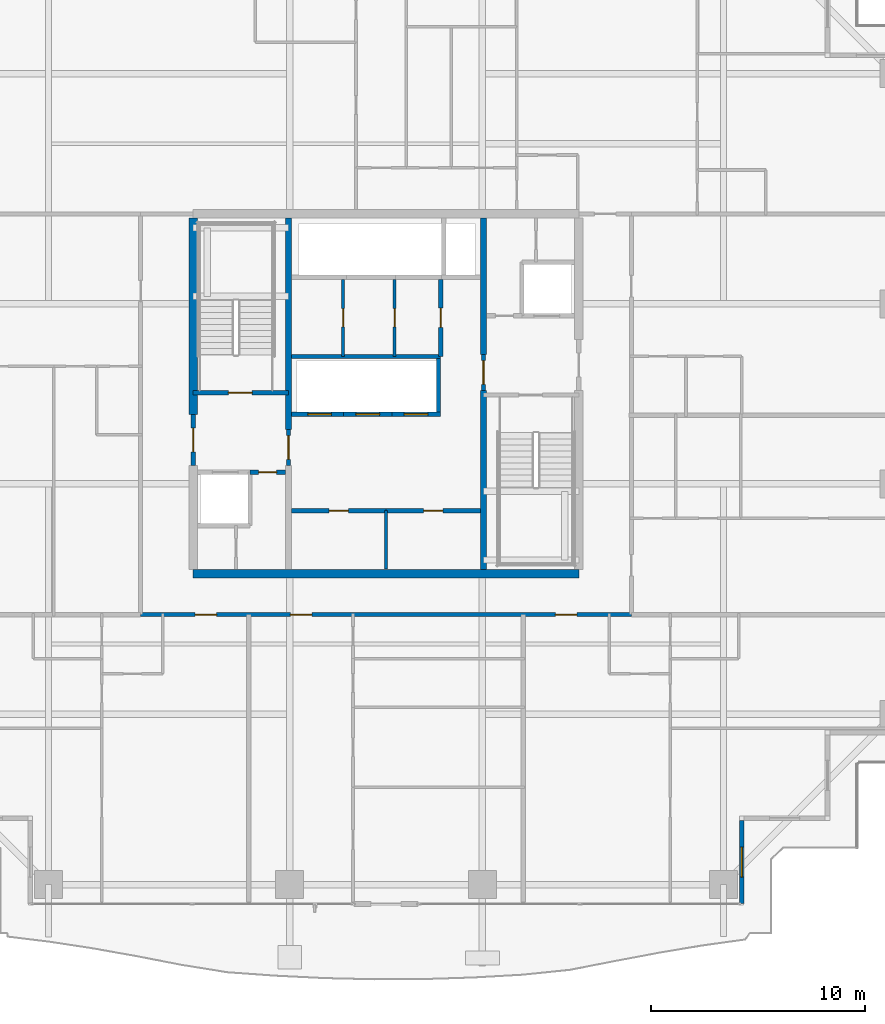
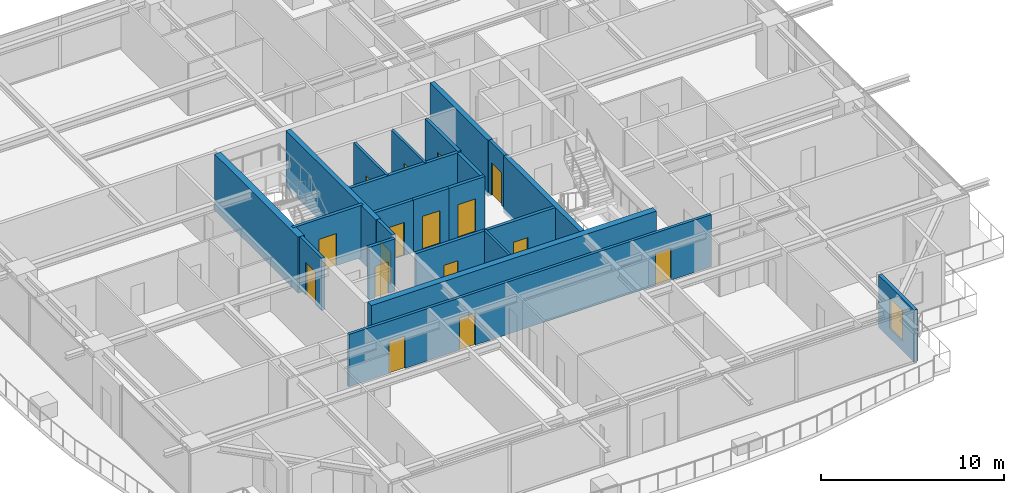
# One storey, part 24 of 35: 23 walls, 16 doors, 1 window, 17 openings.
"""IFC4 building model written with IfcOpenShell, lengths in metres."""

from ifc_helpers import new_model, si_unit, direction, frame, frame_2d, origin, place, context, subcontext, project, spatial, rectangle, extrude, source, transform, mapped, material, layer, layer_set, type_object, element, fill, save


model = new_model("IFC4")

# Units and contexts
model_context = context("Model", 3, precision=1e-05, world=origin(), true_north=direction((0.0, 1.0)))
body_context = subcontext(model_context, "Body", "Model", "MODEL_VIEW")
ifc_project = project(units=[si_unit("LENGTHUNIT", "METRE"), si_unit("AREAUNIT", "SQUARE_METRE"), si_unit("VOLUMEUNIT", "CUBIC_METRE"), si_unit("PLANEANGLEUNIT", "RADIAN"), si_unit("MASSUNIT", "GRAM", prefix="KILO")], contexts=[model_context])

# Site, building, storey
site_placement = place(None, origin())
site = spatial("IfcSite", under=ifc_project, at=site_placement, CompositionType="ELEMENT")
building_placement = place(site_placement, origin())
building = spatial("IfcBuilding", under=site, at=building_placement, Name="Serunith Strait Residences", CompositionType="ELEMENT")
storey_placement = place(building_placement, frame((0.0, 0.0, 157.64990234375)))
storey = spatial("IfcBuildingStorey", under=building, at=storey_placement, Name="L39", CompositionType="ELEMENT", Elevation=157.64990234375)

# Wall, opening, window
ifc_material_1 = material(Name="Pale-Champagne Aluminium Insulated Panel", Category="aluminium")
ifc_layer_1 = layer(ifc_material_1, 0.219970703125, Name="Pale-Champagne Aluminium Insulated Panel")
ifc_layer_set_1 = layer_set([ifc_layer_1], Name="Pale-Champagne Aluminium Insulated Panel")
wall_type_1 = type_object("IfcWallType", Name="EW-ALUM-220", PredefinedType="ELEMENTEDWALL", material=ifc_layer_set_1)
wall_1_placement = place(storey_placement, frame((49.0, 1.39990234375, 0.0), z_axis=(0.0, 0.0, 1.0), x_axis=(0.0, 1.0, 0.0)))
wall_1 = element("IfcWall", 1, at=wall_1_placement, inside=storey, type_object=wall_type_1, Name="L39 Girih Serrated Corner Wall 02", PredefinedType="ELEMENTEDWALL", context=body_context, shape_type="SweptSolid", body=[
    extrude(rectangle(XDim=3.89013671875, YDim=0.219970703125, at=frame_2d((1.945068359375, 0.0))), origin(), (0.0, 0.0, 1.0), 3.47509765625),
])
opening_1_placement = place(wall_1_placement, frame((1.2451171875, 0.0, 0.64990234375)))
opening_1 = element("IfcOpeningElement", 2, at=opening_1_placement, cuts=wall_1, Name="Opening W-03", PredefinedType="OPENING", context=body_context, shape_type="SweptSolid", body=[
    extrude(rectangle(XDim=1.39990234375, YDim=2.050048828125, at=frame_2d((0.699951171875, 1.02490234375))), frame((0.0, 0.1201171875, 0.0), z_axis=(0.0, -1.0, 0.0), x_axis=(1.0, 0.0, 0.0)), (0.0, 0.0, 1.0), 0.239990234375),
])
ifc_material_2 = material(Name="Ceramic-Fritted Operable Aluminium Window Glass", Category="aluminium")
window_type = type_object("IfcWindowType", Name="WIN-C3", PartitioningType="SINGLE_PANEL", PredefinedType="WINDOW", material=ifc_material_2)
shared_shape_1 = source(origin(), body_context, "Body", "SweptSolid", [
    extrude(rectangle(XDim=1.39990234375, YDim=2.050048828125, at=frame_2d((0.699951171875, 1.02490234375))), frame((0.0, 0.030029296875, 0.0), z_axis=(0.0, -1.0, 0.0), x_axis=(1.0, 0.0, 0.0)), (0.0, 0.0, 1.0), 0.06005859375),
])
window_placement = place(opening_1_placement, origin())
window = element("IfcWindow", 3, at=window_placement, inside=storey, type_object=window_type, Name="L39 Corner Operable Fritted Window 02", OverallHeight=2.050048828125, OverallWidth=1.39990234375, PartitioningType="SINGLE_PANEL", PredefinedType="WINDOW", context=body_context, shape_type="MappedRepresentation", body=[
    mapped(shared_shape_1, transform((0.0, 0.0, 0.0), scale=1.0)),
])
fill(opening_1, window)

# Wall, opening, door
ifc_material_3 = material(Name="Fire-rated masonry service closet wall", Category="masonry")
ifc_layer_2 = layer(ifc_material_3, 0.14990234375, Name="Fire-rated masonry service closet wall")
ifc_layer_set_2 = layer_set([ifc_layer_2], Name="Fire-rated masonry service closet wall")
wall_type_2 = type_object("IfcWallType", Name="IW-BOH-150", PredefinedType="PARTITIONING", material=ifc_layer_set_2)
wall_2_placement = place(storey_placement, frame((32.800048828125, 26.949951171875, 0.0), z_axis=(0.0, 0.0, 1.0), x_axis=(0.0, 1.0, 0.0)))
wall_2 = element("IfcWall", 4, at=wall_2_placement, inside=storey, type_object=wall_type_2, Name="L39 Partition Wall 015", PredefinedType="PARTITIONING", context=body_context, shape_type="SweptSolid", body=[
    extrude(rectangle(XDim=3.60009765625, YDim=0.14990234375, at=frame_2d((1.800048828125, 0.0))), origin(), (0.0, 0.0, 1.0), 3.489990234375),
])
opening_2_placement = place(wall_2_placement, frame((1.375, 0.0, 0.0)))
opening_2 = element("IfcOpeningElement", 5, at=opening_2_placement, cuts=wall_2, Name="Opening FD-850", PredefinedType="OPENING", context=body_context, shape_type="SweptSolid", body=[
    extrude(rectangle(XDim=0.85009765625, YDim=2.10009765625, at=frame_2d((0.425048828125, 1.050048828125))), frame((0.0, 0.0849609375, 0.0), z_axis=(0.0, -1.0, 0.0), x_axis=(1.0, 0.0, 0.0)), (0.0, 0.0, 1.0), 0.169921875),
])
ifc_material_4 = material(Name="Powder-coated steel service closet door", Category="steel")
door_type_1 = type_object("IfcDoorType", Name="FD-BOH-850", OperationType="NOTDEFINED", PredefinedType="DOOR", material=ifc_material_4)
shared_shape_2 = source(origin(), body_context, "Body", "SweptSolid", [
    extrude(rectangle(XDim=0.85009765625, YDim=2.10009765625, at=frame_2d((0.425048828125, 1.050048828125))), frame((0.0, 0.02490234375, 0.0), z_axis=(0.0, -1.0, 0.0), x_axis=(1.0, 0.0, 0.0)), (0.0, 0.0, 1.0), 0.050048828125),
])
door_1_placement = place(opening_2_placement, origin())
door_1 = element("IfcDoor", 6, at=door_1_placement, inside=storey, type_object=door_type_1, Name="L39 Linen Store Door", OperationType="SINGLE_SWING_RIGHT", OverallHeight=2.10009765625, OverallWidth=0.85009765625, PredefinedType="DOOR", context=body_context, shape_type="MappedRepresentation", body=[
    mapped(shared_shape_2, transform((0.0, 0.0, 0.0), scale=1.0)),
])
fill(opening_2, door_1)

wall_3_placement = place(storey_placement, frame((30.39990234375, 26.949951171875, 0.0), z_axis=(0.0, 0.0, 1.0), x_axis=(0.0, 1.0, 0.0)))
wall_3 = element("IfcWall", 7, at=wall_3_placement, inside=storey, type_object=wall_type_2, Name="L39 Partition Wall 016", PredefinedType="PARTITIONING", context=body_context, shape_type="SweptSolid", body=[
    extrude(rectangle(XDim=3.60009765625, YDim=0.14990234375, at=frame_2d((1.800048828125, 0.0))), origin(), (0.0, 0.0, 1.0), 3.489990234375),
])
opening_3_placement = place(wall_3_placement, frame((1.375, 0.0, 0.0)))
opening_3 = element("IfcOpeningElement", 8, at=opening_3_placement, cuts=wall_3, Name="Opening FD-850", PredefinedType="OPENING", context=body_context, shape_type="SweptSolid", body=[
    extrude(rectangle(XDim=0.85009765625, YDim=2.10009765625, at=frame_2d((0.425048828125, 1.050048828125))), frame((0.0, 0.0849609375, 0.0), z_axis=(0.0, -1.0, 0.0), x_axis=(1.0, 0.0, 0.0)), (0.0, 0.0, 1.0), 0.169921875),
])
door_2_placement = place(opening_3_placement, origin())
door_2 = element("IfcDoor", 9, at=door_2_placement, inside=storey, type_object=door_type_1, Name="L39 Housekeeping Supply Door", OperationType="SINGLE_SWING_LEFT", OverallHeight=2.10009765625, OverallWidth=0.85009765625, PredefinedType="DOOR", context=body_context, shape_type="MappedRepresentation", body=[
    mapped(shared_shape_2, transform((0.0, 0.0, 0.0), scale=1.0)),
])
fill(opening_3, door_2)

# Wall
wall_4_placement = place(storey_placement, frame((32.39990234375, 17.02001953125, 0.0), z_axis=(0.0, 0.0, 1.0), x_axis=(0.0, 1.0, 0.0)))
element("IfcWall", 10, at=wall_4_placement, inside=storey, type_object=wall_type_2, Name="L39 Partition Wall 019", PredefinedType="PARTITIONING", context=body_context, shape_type="SweptSolid", body=[
    extrude(rectangle(XDim=2.72998046875, YDim=0.14990234375, at=frame_2d((1.364990234375, 0.0))), origin(), (0.0, 0.0, 1.0), 3.489990234375),
])

# Wall, openings, doors
ifc_material_5 = material(Name="Fire-rated acoustic gypsum partition")
ifc_layer_3 = layer(ifc_material_5, 0.179931640625, Name="Fire-rated acoustic gypsum partition")
ifc_layer_set_3 = layer_set([ifc_layer_3], Name="Fire-rated acoustic gypsum partition")
wall_type_3 = type_object("IfcWallType", Name="IW-CORR-180", PredefinedType="PARTITIONING", material=ifc_layer_set_3)
wall_5_placement = place(storey_placement, frame((20.951904296875, 14.89990234375, 0.0), z_axis=(0.0, 0.0, 1.0), x_axis=(1.0, 0.0, 0.0)))
wall_5 = element("IfcWall", 11, at=wall_5_placement, inside=storey, type_object=wall_type_3, Name="L39 Partition Wall 027", PredefinedType="PARTITIONING", context=body_context, shape_type="SweptSolid", body=[
    extrude(rectangle(XDim=22.89599609375, YDim=0.179931640625, at=frame_2d((11.447998046875, 0.0))), origin(), (0.0, 0.0, 1.0), 3.489990234375),
])
opening_4_placement = place(wall_5_placement, frame((2.5400390625, 0.0, 0.0)))
opening_4 = element("IfcOpeningElement", 12, at=opening_4_placement, cuts=wall_5, Name="Opening D-APT1000", PredefinedType="OPENING", context=body_context, shape_type="SweptSolid", body=[
    extrude(rectangle(XDim=1.0, YDim=2.14990234375, at=frame_2d((0.5, 1.074951171875))), frame((0.0, 0.10009765625, 0.0), z_axis=(0.0, -1.0, 0.0), x_axis=(1.0, 0.0, 0.0)), (0.0, 0.0, 1.0), 0.199951171875),
])
opening_5_placement = place(wall_5_placement, frame((6.985107421875, 0.0, 0.0)))
opening_5 = element("IfcOpeningElement", 13, at=opening_5_placement, cuts=wall_5, Name="Opening D-APT1000", PredefinedType="OPENING", context=body_context, shape_type="SweptSolid", body=[
    extrude(rectangle(XDim=1.0, YDim=2.14990234375, at=frame_2d((0.5, 1.074951171875))), frame((0.0, 0.10009765625, 0.0), z_axis=(0.0, -1.0, 0.0), x_axis=(1.0, 0.0, 0.0)), (0.0, 0.0, 1.0), 0.199951171875),
])
opening_6_placement = place(wall_5_placement, frame((19.35595703125, 0.0, 0.0)))
opening_6 = element("IfcOpeningElement", 14, at=opening_6_placement, cuts=wall_5, Name="Opening D-APT1000", PredefinedType="OPENING", context=body_context, shape_type="SweptSolid", body=[
    extrude(rectangle(XDim=1.0, YDim=2.14990234375, at=frame_2d((0.5, 1.074951171875))), frame((0.0, 0.10009765625, 0.0), z_axis=(0.0, -1.0, 0.0), x_axis=(1.0, 0.0, 0.0)), (0.0, 0.0, 1.0), 0.199951171875),
])
ifc_material_6 = material(Name="Solid timber engineered fire door", Category="wood")
door_type_2 = type_object("IfcDoorType", Name="ID-APT-1000", OperationType="NOTDEFINED", PredefinedType="DOOR", material=ifc_material_6)
shared_shape_3 = source(origin(), body_context, "Body", "SweptSolid", [
    extrude(rectangle(XDim=1.0, YDim=2.14990234375, at=frame_2d((0.5, 1.074951171875))), frame((0.0, 0.02490234375, 0.0), z_axis=(0.0, -1.0, 0.0), x_axis=(1.0, 0.0, 0.0)), (0.0, 0.0, 1.0), 0.050048828125),
])
door_3_placement = place(opening_4_placement, origin())
door_3 = element("IfcDoor", 15, at=door_3_placement, inside=storey, type_object=door_type_2, Name="L39 Unit 01 Entrance Door", OperationType="SINGLE_SWING_RIGHT", OverallHeight=2.14990234375, OverallWidth=1.0, PredefinedType="DOOR", context=body_context, shape_type="MappedRepresentation", body=[
    mapped(shared_shape_3, transform((0.0, 0.0, 0.0), scale=1.0)),
])
fill(opening_4, door_3)
door_4_placement = place(opening_5_placement, origin())
door_4 = element("IfcDoor", 16, at=door_4_placement, inside=storey, type_object=door_type_2, Name="L39 Unit 02 Entrance Door", OperationType="SINGLE_SWING_LEFT", OverallHeight=2.14990234375, OverallWidth=1.0, PredefinedType="DOOR", context=body_context, shape_type="MappedRepresentation", body=[
    mapped(shared_shape_3, transform((0.0, 0.0, 0.0), scale=1.0)),
])
fill(opening_5, door_4)
door_5_placement = place(opening_6_placement, origin())
door_5 = element("IfcDoor", 17, at=door_5_placement, inside=storey, type_object=door_type_2, Name="L39 Unit 03 Entrance Door", OperationType="SINGLE_SWING_RIGHT", OverallHeight=2.14990234375, OverallWidth=1.0, PredefinedType="DOOR", context=body_context, shape_type="MappedRepresentation", body=[
    mapped(shared_shape_3, transform((0.0, 0.0, 0.0), scale=1.0)),
])
fill(opening_6, door_5)

# Wall, opening, door
ifc_material_7 = material(Name="Autoclaved aerated concrete blockwork", Category="masonry")
ifc_layer_4 = layer(ifc_material_7, 0.199951171875, Name="Autoclaved aerated concrete blockwork")
ifc_layer_set_4 = layer_set([ifc_layer_4], Name="Autoclaved aerated concrete blockwork")
wall_type_4 = type_object("IfcWallType", Name="IW-SHAFT-200", PredefinedType="STANDARD", material=ifc_layer_set_4)
wall_6_placement = place(storey_placement, frame((23.39990234375, 25.25, 0.0), z_axis=(0.0, 0.0, 1.0), x_axis=(1.0, 0.0, 0.0)))
wall_6 = element("IfcWall", 18, at=wall_6_placement, inside=storey, type_object=wall_type_4, Name="L39 ST-1 South Shaft Wall", PredefinedType="STANDARD", context=body_context, shape_type="SweptSolid", body=[
    extrude(rectangle(XDim=4.4501953125, YDim=0.199951171875, at=frame_2d((2.22509765625, 0.0))), origin(), (0.0, 0.0, 1.0), 3.489990234375),
])
opening_7_placement = place(wall_6_placement, frame((1.64990234375, 0.0, 0.0)))
opening_7 = element("IfcOpeningElement", 19, at=opening_7_placement, cuts=wall_6, Name="Opening FD-1100", PredefinedType="OPENING", context=body_context, shape_type="SweptSolid", body=[
    extrude(rectangle(XDim=1.10009765625, YDim=2.14990234375, at=frame_2d((0.550048828125, 1.074951171875))), frame((0.0, 0.10986328125, 0.0), z_axis=(0.0, -1.0, 0.0), x_axis=(1.0, 0.0, 0.0)), (0.0, 0.0, 1.0), 0.219970703125),
])
ifc_material_8 = material(Name="Galvanised steel fire door leaf", Category="steel")
door_type_3 = type_object("IfcDoorType", Name="FD-STAIR-1100", OperationType="NOTDEFINED", PredefinedType="DOOR", material=ifc_material_8)
shared_shape_4 = source(origin(), body_context, "Body", "SweptSolid", [
    extrude(rectangle(XDim=1.10009765625, YDim=2.14990234375, at=frame_2d((0.550048828125, 1.074951171875))), frame((0.0, 0.02490234375, 0.0), z_axis=(0.0, -1.0, 0.0), x_axis=(1.0, 0.0, 0.0)), (0.0, 0.0, 1.0), 0.050048828125),
])
door_6_placement = place(opening_7_placement, origin())
door_6 = element("IfcDoor", 20, at=door_6_placement, inside=storey, type_object=door_type_3, Name="L39 ST-1 Escape Stair Door", OperationType="SINGLE_SWING_LEFT", OverallHeight=2.14990234375, OverallWidth=1.10009765625, PredefinedType="DOOR", context=body_context, shape_type="MappedRepresentation", body=[
    mapped(shared_shape_4, transform((0.0, 0.0, 0.0), scale=1.0)),
])
fill(opening_7, door_6)

wall_7_placement = place(storey_placement, frame((28.0, 24.25, 0.0), z_axis=(0.0, 0.0, 1.0), x_axis=(1.0, 0.0, 0.0)))
wall_7 = element("IfcWall", 21, at=wall_7_placement, inside=storey, type_object=wall_type_4, Name="L39 PL-4 South Shaft Wall", PredefinedType="STANDARD", context=body_context, shape_type="SweptSolid", body=[
    extrude(rectangle(XDim=2.425048828125, YDim=0.199951171875, at=frame_2d((1.21240234375, 0.0))), origin(), (0.0, 0.0, 1.0), 3.489990234375),
])
opening_8_placement = place(wall_7_placement, frame((0.75, 0.0, 0.0)))
opening_8 = element("IfcOpeningElement", 22, at=opening_8_placement, cuts=wall_7, Name="Opening LD-1100", PredefinedType="OPENING", context=body_context, shape_type="SweptSolid", body=[
    extrude(rectangle(XDim=1.10009765625, YDim=2.199951171875, at=frame_2d((0.550048828125, 1.10009765625))), frame((0.0, 0.10986328125, 0.0), z_axis=(0.0, -1.0, 0.0), x_axis=(1.0, 0.0, 0.0)), (0.0, 0.0, 1.0), 0.219970703125),
])
ifc_material_9 = material(Name="Pale-champagne stainless landing door")
door_type_4 = type_object("IfcDoorType", Name="LD-LIFT-1100", OperationType="DOUBLE_DOOR_SLIDING", PredefinedType="DOOR", material=ifc_material_9)
shared_shape_5 = source(origin(), body_context, "Body", "SweptSolid", [
    extrude(rectangle(XDim=1.10009765625, YDim=2.199951171875, at=frame_2d((0.550048828125, 1.10009765625))), frame((0.0, 0.02490234375, 0.0), z_axis=(0.0, -1.0, 0.0), x_axis=(1.0, 0.0, 0.0)), (0.0, 0.0, 1.0), 0.050048828125),
])
door_7_placement = place(opening_8_placement, origin())
door_7 = element("IfcDoor", 23, at=door_7_placement, inside=storey, type_object=door_type_4, Name="L39 PL-4 Landing Door", OperationType="DOUBLE_DOOR_SLIDING", OverallHeight=2.199951171875, OverallWidth=1.10009765625, PredefinedType="DOOR", context=body_context, shape_type="MappedRepresentation", body=[
    mapped(shared_shape_5, transform((0.0, 0.0, 0.0), scale=1.0)),
])
fill(opening_8, door_7)

wall_8_placement = place(storey_placement, frame((30.425048828125, 24.25, 0.0), z_axis=(0.0, 0.0, 1.0), x_axis=(1.0, 0.0, 0.0)))
wall_8 = element("IfcWall", 24, at=wall_8_placement, inside=storey, type_object=wall_type_4, Name="L39 PL-5 South Shaft Wall", PredefinedType="STANDARD", context=body_context, shape_type="SweptSolid", body=[
    extrude(rectangle(XDim=2.25, YDim=0.199951171875, at=frame_2d((1.125, 0.0))), origin(), (0.0, 0.0, 1.0), 3.489990234375),
])
opening_9_placement = place(wall_8_placement, frame((0.574951171875, 0.0, 0.0)))
opening_9 = element("IfcOpeningElement", 25, at=opening_9_placement, cuts=wall_8, Name="Opening LD-1100", PredefinedType="OPENING", context=body_context, shape_type="SweptSolid", body=[
    extrude(rectangle(XDim=1.10009765625, YDim=2.199951171875, at=frame_2d((0.550048828125, 1.10009765625))), frame((0.0, 0.10986328125, 0.0), z_axis=(0.0, -1.0, 0.0), x_axis=(1.0, 0.0, 0.0)), (0.0, 0.0, 1.0), 0.219970703125),
])
door_8_placement = place(opening_9_placement, origin())
door_8 = element("IfcDoor", 26, at=door_8_placement, inside=storey, type_object=door_type_4, Name="L39 PL-5 Landing Door", OperationType="DOUBLE_DOOR_SLIDING", OverallHeight=2.199951171875, OverallWidth=1.10009765625, PredefinedType="DOOR", context=body_context, shape_type="MappedRepresentation", body=[
    mapped(shared_shape_5, transform((0.0, 0.0, 0.0), scale=1.0)),
])
fill(opening_9, door_8)

wall_9_placement = place(storey_placement, frame((32.675048828125, 24.25, 0.0), z_axis=(0.0, 0.0, 1.0), x_axis=(1.0, 0.0, 0.0)))
wall_9 = element("IfcWall", 27, at=wall_9_placement, inside=storey, type_object=wall_type_4, Name="L39 PL-6 South Shaft Wall", PredefinedType="STANDARD", context=body_context, shape_type="SweptSolid", body=[
    extrude(rectangle(XDim=2.27490234375, YDim=0.199951171875, at=frame_2d((1.137451171875, 0.0))), origin(), (0.0, 0.0, 1.0), 3.489990234375),
])
opening_10_placement = place(wall_9_placement, frame((0.574951171875, 0.0, 0.0)))
opening_10 = element("IfcOpeningElement", 28, at=opening_10_placement, cuts=wall_9, Name="Opening LD-1100", PredefinedType="OPENING", context=body_context, shape_type="SweptSolid", body=[
    extrude(rectangle(XDim=1.10009765625, YDim=2.199951171875, at=frame_2d((0.550048828125, 1.10009765625))), frame((0.0, 0.10986328125, 0.0), z_axis=(0.0, -1.0, 0.0), x_axis=(1.0, 0.0, 0.0)), (0.0, 0.0, 1.0), 0.219970703125),
])
door_9_placement = place(opening_10_placement, origin())
door_9 = element("IfcDoor", 29, at=door_9_placement, inside=storey, type_object=door_type_4, Name="L39 PL-6 Landing Door", OperationType="DOUBLE_DOOR_SLIDING", OverallHeight=2.199951171875, OverallWidth=1.10009765625, PredefinedType="DOOR", context=body_context, shape_type="MappedRepresentation", body=[
    mapped(shared_shape_5, transform((0.0, 0.0, 0.0), scale=1.0)),
])
fill(opening_10, door_9)

# Wall
wall_10_placement = place(storey_placement, frame((34.85009765625, 24.35009765625, 0.0), z_axis=(0.0, 0.0, 1.0), x_axis=(0.0, 1.0, 0.0)))
element("IfcWall", 30, at=wall_10_placement, inside=storey, type_object=wall_type_4, Name="L39 PL-6 East Shaft Wall", PredefinedType="STANDARD", context=body_context, shape_type="SweptSolid", body=[
    extrude(rectangle(XDim=2.5, YDim=0.199951171875, at=frame_2d((1.25, 0.0))), origin(), (0.0, 0.0, 1.0), 3.489990234375),
])

# Wall, opening, door
wall_11_placement = place(storey_placement, frame((26.052001953125, 21.550048828125, 0.0), z_axis=(0.0, 0.0, 1.0), x_axis=(1.0, 0.0, 0.0)))
wall_11 = element("IfcWall", 31, at=wall_11_placement, inside=storey, type_object=wall_type_4, Name="L39 Partition Wall 003", PredefinedType="STANDARD", context=body_context, shape_type="SweptSolid", body=[
    extrude(rectangle(XDim=1.64794921875, YDim=0.199951171875, at=frame_2d((0.823974609375, 0.0))), origin(), (0.0, 0.0, 1.0), 3.489990234375),
])
opening_11_placement = place(wall_11_placement, frame((0.39892578125, 0.0, 0.0)))
opening_11 = element("IfcOpeningElement", 32, at=opening_11_placement, cuts=wall_11, Name="Opening FD-850", PredefinedType="OPENING", context=body_context, shape_type="SweptSolid", body=[
    extrude(rectangle(XDim=0.85009765625, YDim=2.10009765625, at=frame_2d((0.425048828125, 1.050048828125))), frame((0.0, 0.10986328125, 0.0), z_axis=(0.0, -1.0, 0.0), x_axis=(1.0, 0.0, 0.0)), (0.0, 0.0, 1.0), 0.219970703125),
])
door_10_placement = place(opening_11_placement, origin())
door_10 = element("IfcDoor", 33, at=door_10_placement, inside=storey, type_object=door_type_1, Name="L39 South-West Core Service Door", OperationType="SINGLE_SWING_LEFT", OverallHeight=2.10009765625, OverallWidth=0.85009765625, PredefinedType="DOOR", context=body_context, shape_type="MappedRepresentation", body=[
    mapped(shared_shape_2, transform((0.0, 0.0, 0.0), scale=1.0)),
])
fill(opening_11, door_10)

wall_12_placement = place(storey_placement, frame((23.39990234375, 21.85205078125, 0.0), z_axis=(0.0, 0.0, 1.0), x_axis=(0.0, 1.0, 0.0)))
wall_12 = element("IfcWall", 34, at=wall_12_placement, inside=storey, type_object=wall_type_4, Name="L39 Partition Wall 007", PredefinedType="STANDARD", context=body_context, shape_type="SweptSolid", body=[
    extrude(rectangle(XDim=2.39599609375, YDim=0.199951171875, at=frame_2d((1.197998046875, 0.0))), origin(), (0.0, 0.0, 1.0), 3.489990234375),
])
opening_12_placement = place(wall_12_placement, frame((0.64794921875, 0.0, 0.0)))
opening_12 = element("IfcOpeningElement", 35, at=opening_12_placement, cuts=wall_12, Name="Opening FD-FFL", PredefinedType="OPENING", context=body_context, shape_type="SweptSolid", body=[
    extrude(rectangle(XDim=1.10009765625, YDim=2.14990234375, at=frame_2d((0.550048828125, 1.074951171875))), frame((0.0, 0.10986328125, 0.0), z_axis=(0.0, -1.0, 0.0), x_axis=(1.0, 0.0, 0.0)), (0.0, 0.0, 1.0), 0.219970703125),
])
ifc_material_10 = material(Name="Glazed steel smoke-lobby fire door", Category="steel")
door_type_5 = type_object("IfcDoorType", Name="FD-FFL-1100", OperationType="NOTDEFINED", PredefinedType="DOOR", material=ifc_material_10)
door_11_placement = place(opening_12_placement, origin())
door_11 = element("IfcDoor", 36, at=door_11_placement, inside=storey, type_object=door_type_5, Name="L39 FFL-1 Corridor Fire Door", OperationType="SINGLE_SWING_LEFT", OverallHeight=2.14990234375, OverallWidth=1.10009765625, PredefinedType="DOOR", context=body_context, shape_type="MappedRepresentation", body=[
    mapped(shared_shape_4, transform((0.0, 0.0, 0.0), scale=1.0)),
])
fill(opening_12, door_11)

wall_13_placement = place(storey_placement, frame((27.85009765625, 21.85205078125, 0.0), z_axis=(0.0, 0.0, 1.0), x_axis=(0.0, 1.0, 0.0)))
wall_13 = element("IfcWall", 37, at=wall_13_placement, inside=storey, type_object=wall_type_4, Name="L39 Partition Wall 009", PredefinedType="STANDARD", context=body_context, shape_type="SweptSolid", body=[
    extrude(rectangle(XDim=1.696044921875, YDim=0.199951171875, at=frame_2d((0.84814453125, 0.0))), origin(), (0.0, 0.0, 1.0), 3.489990234375),
])
opening_13_placement = place(wall_13_placement, frame((0.298095703125, 0.0, 0.0)))
opening_13 = element("IfcOpeningElement", 38, at=opening_13_placement, cuts=wall_13, Name="Opening FD-FFL", PredefinedType="OPENING", context=body_context, shape_type="SweptSolid", body=[
    extrude(rectangle(XDim=1.10009765625, YDim=2.14990234375, at=frame_2d((0.550048828125, 1.074951171875))), frame((0.0, 0.10986328125, 0.0), z_axis=(0.0, -1.0, 0.0), x_axis=(1.0, 0.0, 0.0)), (0.0, 0.0, 1.0), 0.219970703125),
])
door_12_placement = place(opening_13_placement, origin())
door_12 = element("IfcDoor", 39, at=door_12_placement, inside=storey, type_object=door_type_5, Name="L39 FFL-1 Lift Lobby Door", OperationType="SINGLE_SWING_LEFT", OverallHeight=2.14990234375, OverallWidth=1.10009765625, PredefinedType="DOOR", context=body_context, shape_type="MappedRepresentation", body=[
    mapped(shared_shape_4, transform((0.0, 0.0, 0.0), scale=1.0)),
])
fill(opening_13, door_12)

wall_14_placement = place(storey_placement, frame((36.949951171875, 25.35205078125, 0.0), z_axis=(0.0, 0.0, 1.0), x_axis=(0.0, 1.0, 0.0)))
wall_14 = element("IfcWall", 40, at=wall_14_placement, inside=storey, type_object=wall_type_4, Name="L39 Partition Wall 010", PredefinedType="STANDARD", context=body_context, shape_type="SweptSolid", body=[
    extrude(rectangle(XDim=1.696044921875, YDim=0.199951171875, at=frame_2d((0.84814453125, 0.0))), origin(), (0.0, 0.0, 1.0), 3.489990234375),
])
opening_14_placement = place(wall_14_placement, frame((0.298095703125, 0.0, 0.0)))
opening_14 = element("IfcOpeningElement", 41, at=opening_14_placement, cuts=wall_14, Name="Opening FD-FFL", PredefinedType="OPENING", context=body_context, shape_type="SweptSolid", body=[
    extrude(rectangle(XDim=1.10009765625, YDim=2.14990234375, at=frame_2d((0.550048828125, 1.074951171875))), frame((0.0, 0.10986328125, 0.0), z_axis=(0.0, -1.0, 0.0), x_axis=(1.0, 0.0, 0.0)), (0.0, 0.0, 1.0), 0.219970703125),
])
door_13_placement = place(opening_14_placement, origin())
door_13 = element("IfcDoor", 42, at=door_13_placement, inside=storey, type_object=door_type_5, Name="L39 FFL-2 Lift Lobby Door", OperationType="SINGLE_SWING_RIGHT", OverallHeight=2.14990234375, OverallWidth=1.10009765625, PredefinedType="DOOR", context=body_context, shape_type="MappedRepresentation", body=[
    mapped(shared_shape_4, transform((0.0, 0.0, 0.0), scale=1.0)),
])
fill(opening_14, door_13)

# Wall
wall_15_placement = place(storey_placement, frame((28.0, 26.949951171875, 0.0), z_axis=(0.0, 0.0, 1.0), x_axis=(1.0, 0.0, 0.0)))
element("IfcWall", 43, at=wall_15_placement, inside=storey, type_object=wall_type_4, Name="L39 Partition Wall 011", PredefinedType="STANDARD", context=body_context, shape_type="SweptSolid", body=[
    extrude(rectangle(XDim=6.949951171875, YDim=0.199951171875, at=frame_2d((3.47509765625, 0.0))), origin(), (0.0, 0.0, 1.0), 3.489990234375),
])

# Wall, opening, door
wall_16_placement = place(storey_placement, frame((34.949951171875, 26.949951171875, 0.0), z_axis=(0.0, 0.0, 1.0), x_axis=(0.0, 1.0, 0.0)))
wall_16 = element("IfcWall", 44, at=wall_16_placement, inside=storey, type_object=wall_type_4, Name="L39 Partition Wall 014", PredefinedType="STANDARD", context=body_context, shape_type="SweptSolid", body=[
    extrude(rectangle(XDim=3.60009765625, YDim=0.199951171875, at=frame_2d((1.800048828125, 0.0))), origin(), (0.0, 0.0, 1.0), 3.489990234375),
])
opening_15_placement = place(wall_16_placement, frame((1.35009765625, 0.0, 0.0)))
opening_15 = element("IfcOpeningElement", 45, at=opening_15_placement, cuts=wall_16, Name="Opening FD-900", PredefinedType="OPENING", context=body_context, shape_type="SweptSolid", body=[
    extrude(rectangle(XDim=0.89990234375, YDim=2.10009765625, at=frame_2d((0.449951171875, 1.050048828125))), frame((0.0, 0.10986328125, 0.0), z_axis=(0.0, -1.0, 0.0), x_axis=(1.0, 0.0, 0.0)), (0.0, 0.0, 1.0), 0.219970703125),
])
ifc_material_11 = material(Name="Powder-coated steel riser door", Category="steel")
door_type_6 = type_object("IfcDoorType", Name="FD-BOH-900", OperationType="NOTDEFINED", PredefinedType="DOOR", material=ifc_material_11)
shared_shape_6 = source(origin(), body_context, "Body", "SweptSolid", [
    extrude(rectangle(XDim=0.89990234375, YDim=2.10009765625, at=frame_2d((0.449951171875, 1.050048828125))), frame((0.0, 0.02490234375, 0.0), z_axis=(0.0, -1.0, 0.0), x_axis=(1.0, 0.0, 0.0)), (0.0, 0.0, 1.0), 0.050048828125),
])
door_14_placement = place(opening_15_placement, origin())
door_14 = element("IfcDoor", 46, at=door_14_placement, inside=storey, type_object=door_type_6, Name="L39 Janitorial Store Door", OperationType="SINGLE_SWING_LEFT", OverallHeight=2.10009765625, OverallWidth=0.89990234375, PredefinedType="DOOR", context=body_context, shape_type="MappedRepresentation", body=[
    mapped(shared_shape_6, transform((0.0, 0.0, 0.0), scale=1.0)),
])
fill(opening_15, door_14)

wall_17_placement = place(storey_placement, frame((28.0, 19.75, 0.0), z_axis=(0.0, 0.0, 1.0), x_axis=(1.0, 0.0, 0.0)))
wall_17 = element("IfcWall", 47, at=wall_17_placement, inside=storey, type_object=wall_type_4, Name="L39 Partition Wall 017", PredefinedType="STANDARD", context=body_context, shape_type="SweptSolid", body=[
    extrude(rectangle(XDim=4.39990234375, YDim=0.199951171875, at=frame_2d((2.199951171875, 0.0))), origin(), (0.0, 0.0, 1.0), 3.489990234375),
])
opening_16_placement = place(wall_17_placement, frame((1.75, 0.0, 0.0)))
opening_16 = element("IfcOpeningElement", 48, at=opening_16_placement, cuts=wall_17, Name="Opening FD-900", PredefinedType="OPENING", context=body_context, shape_type="SweptSolid", body=[
    extrude(rectangle(XDim=0.89990234375, YDim=2.10009765625, at=frame_2d((0.449951171875, 1.050048828125))), frame((0.0, 0.10986328125, 0.0), z_axis=(0.0, -1.0, 0.0), x_axis=(1.0, 0.0, 0.0)), (0.0, 0.0, 1.0), 0.219970703125),
])
door_15_placement = place(opening_16_placement, origin())
door_15 = element("IfcDoor", 49, at=door_15_placement, inside=storey, type_object=door_type_6, Name="L39 Fan-Coil Plant Door", OperationType="SINGLE_SWING_RIGHT", OverallHeight=2.10009765625, OverallWidth=0.89990234375, PredefinedType="DOOR", context=body_context, shape_type="MappedRepresentation", body=[
    mapped(shared_shape_6, transform((0.0, 0.0, 0.0), scale=1.0)),
])
fill(opening_16, door_15)

wall_18_placement = place(storey_placement, frame((32.402099609375, 19.75, 0.0), z_axis=(0.0, 0.0, 1.0), x_axis=(1.0, 0.0, 0.0)))
wall_18 = element("IfcWall", 50, at=wall_18_placement, inside=storey, type_object=wall_type_4, Name="L39 Partition Wall 018", PredefinedType="STANDARD", context=body_context, shape_type="SweptSolid", body=[
    extrude(rectangle(XDim=4.39794921875, YDim=0.199951171875, at=frame_2d((2.198974609375, 0.0))), origin(), (0.0, 0.0, 1.0), 3.489990234375),
])
opening_17_placement = place(wall_18_placement, frame((1.7490234375, 0.0, 0.0)))
opening_17 = element("IfcOpeningElement", 51, at=opening_17_placement, cuts=wall_18, Name="Opening FD-900", PredefinedType="OPENING", context=body_context, shape_type="SweptSolid", body=[
    extrude(rectangle(XDim=0.89990234375, YDim=2.10009765625, at=frame_2d((0.449951171875, 1.050048828125))), frame((0.0, 0.10986328125, 0.0), z_axis=(0.0, -1.0, 0.0), x_axis=(1.0, 0.0, 0.0)), (0.0, 0.0, 1.0), 0.219970703125),
])
door_16_placement = place(opening_17_placement, origin())
door_16 = element("IfcDoor", 52, at=door_16_placement, inside=storey, type_object=door_type_6, Name="L39 Battery UPS Plant Door", OperationType="SINGLE_SWING_LEFT", OverallHeight=2.10009765625, OverallWidth=0.89990234375, PredefinedType="DOOR", context=body_context, shape_type="MappedRepresentation", body=[
    mapped(shared_shape_6, transform((0.0, 0.0, 0.0), scale=1.0)),
])
fill(opening_17, door_16)

# Walls
ifc_material_12 = material(Name="Concrete C70/85", Category="concrete")
ifc_layer_5 = layer(ifc_material_12, 0.300048828125, Name="Concrete C70/85")
ifc_layer_set_5 = layer_set([ifc_layer_5], Name="Concrete C70/85")
wall_type_5 = type_object("IfcWallType", Name="SW-300-C70", PredefinedType="SHEAR", material=ifc_layer_set_5)
wall_19_placement = place(storey_placement, frame((27.85009765625, 23.550048828125, -0.260009765625), z_axis=(0.0, 0.0, 1.0), x_axis=(0.0, 1.0, 0.0)))
element("IfcWall", 53, at=wall_19_placement, inside=storey, type_object=wall_type_5, Name="L39 Core Internal West Web North Pier", PredefinedType="SHEAR", context=body_context, shape_type="SweptSolid", body=[
    extrude(rectangle(XDim=9.849853515625, YDim=0.300048828125, at=frame_2d((4.9248046875, 0.0))), origin(), (0.0, 0.0, 1.0), 3.748046875),
])
wall_20_placement = place(storey_placement, frame((36.949951171875, 17.0, -0.260009765625), z_axis=(0.0, 0.0, 1.0), x_axis=(0.0, 1.0, 0.0)))
element("IfcWall", 54, at=wall_20_placement, inside=storey, type_object=wall_type_5, Name="L39 Core Internal East Web South Pier", PredefinedType="SHEAR", context=body_context, shape_type="SweptSolid", body=[
    extrude(rectangle(XDim=8.35009765625, YDim=0.300048828125, at=frame_2d((4.175048828125, 0.0))), origin(), (0.0, 0.0, 1.0), 3.748046875),
])
wall_21_placement = place(storey_placement, frame((36.949951171875, 27.050048828125, -0.260009765625), z_axis=(0.0, 0.0, 1.0), x_axis=(0.0, 1.0, 0.0)))
element("IfcWall", 55, at=wall_21_placement, inside=storey, type_object=wall_type_5, Name="L39 Core Internal East Web North Pier", PredefinedType="SHEAR", context=body_context, shape_type="SweptSolid", body=[
    extrude(rectangle(XDim=6.349853515625, YDim=0.300048828125, at=frame_2d((3.1748046875, 0.0))), origin(), (0.0, 0.0, 1.0), 3.748046875),
])
ifc_layer_6 = layer(ifc_material_12, 0.39990234375, Name="Concrete C70/85")
ifc_layer_set_6 = layer_set([ifc_layer_6], Name="Concrete C70/85")
wall_type_6 = type_object("IfcWallType", Name="SW-400-C70", PredefinedType="SHEAR", material=ifc_layer_set_6)
wall_22_placement = place(storey_placement, frame((23.39990234375, 16.800048828125, -0.260009765625), z_axis=(0.0, 0.0, 1.0), x_axis=(1.0, 0.0, 0.0)))
element("IfcWall", 56, at=wall_22_placement, inside=storey, type_object=wall_type_6, Name="L39 Core South Shear Wall", PredefinedType="SHEAR", context=body_context, shape_type="SweptSolid", body=[
    extrude(rectangle(XDim=18.0, YDim=0.39990234375, at=frame_2d((9.0, 0.0))), origin(), (0.0, 0.0, 1.0), 3.748046875),
])
wall_23_placement = place(storey_placement, frame((23.39990234375, 24.25, -0.260009765625), z_axis=(0.0, 0.0, 1.0), x_axis=(0.0, 1.0, 0.0)))
element("IfcWall", 57, at=wall_23_placement, inside=storey, type_object=wall_type_6, Name="L39 Core West Shear Wall North Pier", PredefinedType="SHEAR", context=body_context, shape_type="SweptSolid", body=[
    extrude(rectangle(XDim=9.14990234375, YDim=0.39990234375, at=frame_2d((4.574951171875, 0.0))), origin(), (0.0, 0.0, 1.0), 3.748046875),
])

save(model, "model.ifc")
